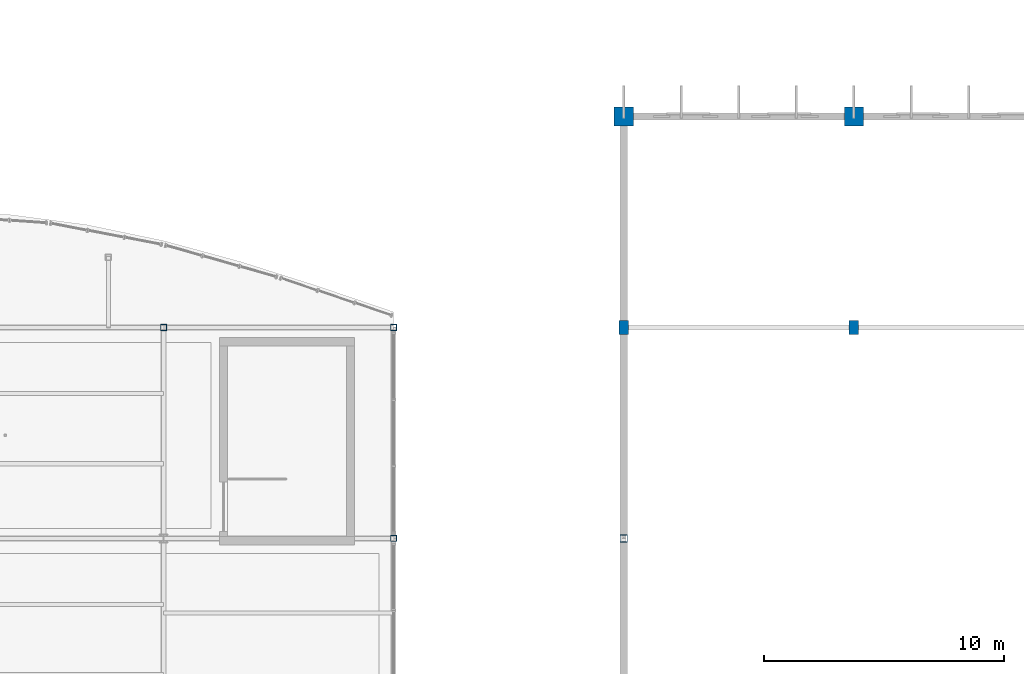
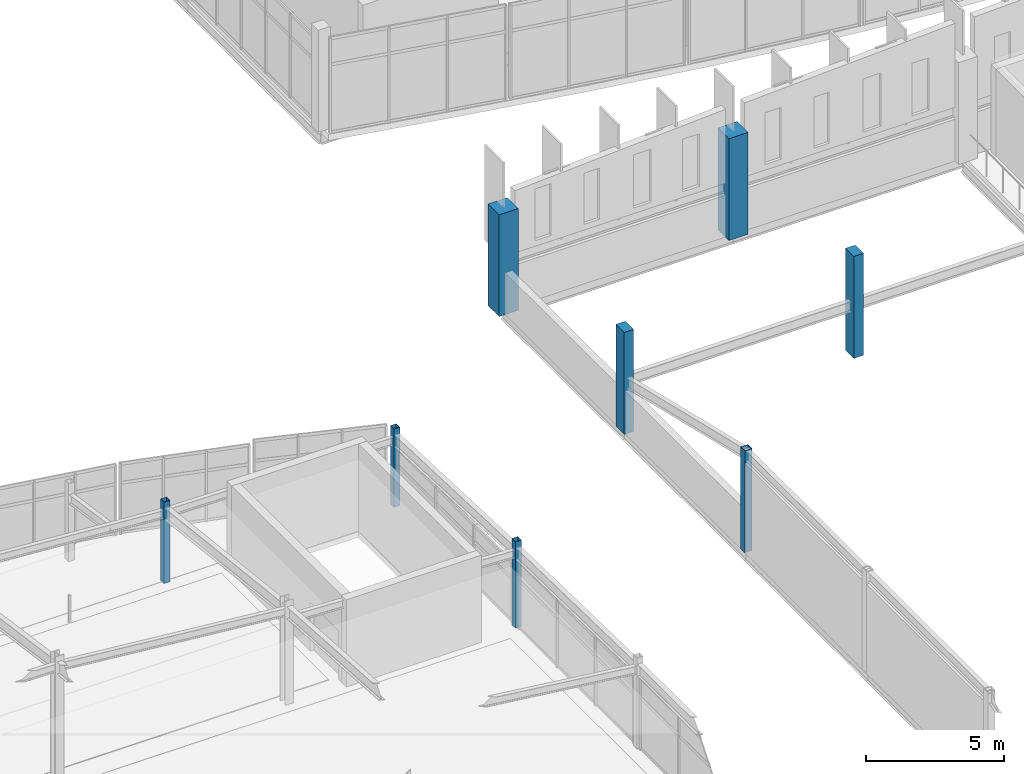
# One storey, part 5 of 114: 8 columns.
"""IFC4 building model written with IfcOpenShell, lengths in metres."""

from ifc_helpers import new_model, si_unit, direction, frame, origin, origin_2d, place, context, subcontext, project, spatial, rectangle, hollow_rectangle, extrude, material, material_profile, profile_set, type_object, element, save


model = new_model("IFC4")

# Units and contexts
model_context = context("Model", 3, precision=1e-05, world=origin(), true_north=direction((0.0, 1.0)))
body_context = subcontext(model_context, "Body", "Model", "MODEL_VIEW")
ifc_project = project(units=[si_unit("LENGTHUNIT", "METRE"), si_unit("AREAUNIT", "SQUARE_METRE"), si_unit("VOLUMEUNIT", "CUBIC_METRE"), si_unit("PLANEANGLEUNIT", "RADIAN"), si_unit("MASSUNIT", "GRAM", prefix="KILO")], contexts=[model_context])

# Site, building, storey
site_placement = place(None, origin())
site = spatial("IfcSite", under=ifc_project, at=site_placement, CompositionType="ELEMENT")
building_placement = place(site_placement, origin())
building = spatial("IfcBuilding", under=site, at=building_placement, Name="Chalmorin Arch Market", CompositionType="ELEMENT")
storey_placement = place(building_placement, frame((0.0, 0.0, 9.60009765625)))
storey = spatial("IfcBuildingStorey", under=building, at=storey_placement, Name="L02", CompositionType="ELEMENT", Elevation=9.60009765625)

# Columns
ifc_material_1 = material(Name="Concrete C50/60", Category="concrete")
ifc_material_profile_1 = material_profile(ifc_material_1, rectangle(XDim=0.800048828125, YDim=0.800048828125, at=origin_2d()), Name="RC800X800")
ifc_profile_set_1 = profile_set([ifc_material_profile_1], Name="Concrete C50/60")
column_type_1 = type_object("IfcColumnType", Name="ArchPierColumn-800x800", PredefinedType="COLUMN", material=ifc_profile_set_1)
for number, where, z_axis, x_axis, name in (
    (1, (48.0, 58.800048828125, 0.0), (0.0, 0.0, 1.0), (1.0, 0.0, 0.0), "C-AP1-223"),
    (2, (57.60009765625, 58.800048828125, 0.0), (0.0, 0.0, 1.0), (1.0, 0.0, 0.0), "C-AP1-278"),
):
    element("IfcColumn", number, at=place(storey_placement, frame(where, z_axis=z_axis, x_axis=x_axis)), inside=storey, type_object=column_type_1, Name=name, PredefinedType="COLUMN", context=body_context, shape_type="SweptSolid", body=[
        extrude(rectangle(XDim=0.800048828125, YDim=0.800048828125, at=origin_2d()), origin(), (0.0, 0.0, 1.0), 4.5),
    ])
ifc_material_2 = material(Name="Concrete C40/50", Category="concrete")
ifc_material_profile_2 = material_profile(ifc_material_2, rectangle(XDim=0.39990234375, YDim=0.60009765625, at=origin_2d()), Name="RC400X600")
ifc_profile_set_2 = profile_set([ifc_material_profile_2], Name="Concrete C40/50")
column_type_2 = type_object("IfcColumnType", Name="GalleryConcreteColumn-400x600", PredefinedType="COLUMN", material=ifc_profile_set_2)
for number, where, z_axis, x_axis, name in (
    (3, (48.0, 50.0, 0.0), (0.0, 0.0, 1.0), (1.0, 0.0, 0.0), "C-RC5-218"),
    (4, (57.60009765625, 50.0, 0.0), (0.0, 0.0, 1.0), (1.0, 0.0, 0.0), "C-RC5-273"),
):
    element("IfcColumn", number, at=place(storey_placement, frame(where, z_axis=z_axis, x_axis=x_axis)), inside=storey, type_object=column_type_2, Name=name, PredefinedType="COLUMN", context=body_context, shape_type="SweptSolid", body=[
        extrude(rectangle(XDim=0.39990234375, YDim=0.60009765625, at=origin_2d()), origin(), (0.0, 0.0, 1.0), 4.5),
    ])
ifc_material_3 = material(Name="Steel A500 Grade C", Category="steel")
ifc_material_profile_3 = material_profile(ifc_material_3, hollow_rectangle(XDim=0.25390625, YDim=0.25390625, WallThickness=0.01171875, at=origin_2d()), Name="HSS10X10X1/2")
ifc_profile_set_3 = profile_set([ifc_material_profile_3], Name="Steel A500 Grade C")
column_type_3 = type_object("IfcColumnType", Name="SteelTubeColumn-HSS10X10", PredefinedType="COLUMN", material=ifc_profile_set_3)
column_1_placement = place(storey_placement, frame((28.800048828125, 50.0, 0.0), z_axis=(0.0, 0.0, 1.0), x_axis=(1.0, 0.0, 0.0)))
element("IfcColumn", 5, at=column_1_placement, inside=storey, type_object=column_type_3, Name="C-HS2-138", PredefinedType="COLUMN", context=body_context, shape_type="SweptSolid", body=[
    extrude(hollow_rectangle(XDim=0.25390625, YDim=0.25390625, WallThickness=0.01171875, at=origin_2d()), origin(), (0.0, 0.0, 1.0), 3.591796875),
])
column_2_placement = place(storey_placement, frame((38.39990234375, 41.199951171875, 0.0), z_axis=(0.0, 0.0, 1.0), x_axis=(1.0, 0.0, 0.0)))
element("IfcColumn", 6, at=column_2_placement, inside=storey, type_object=column_type_3, Name="C-HS2-171", PredefinedType="COLUMN", context=body_context, shape_type="SweptSolid", body=[
    extrude(hollow_rectangle(XDim=0.25390625, YDim=0.25390625, WallThickness=0.01171875, at=origin_2d()), origin(), (0.0, 0.0, 1.0), 3.81494140625),
])
column_3_placement = place(storey_placement, frame((38.39990234375, 50.0, 0.0), z_axis=(0.0, 0.0, 1.0), x_axis=(1.0, 0.0, 0.0)))
element("IfcColumn", 7, at=column_3_placement, inside=storey, type_object=column_type_3, Name="C-HS2-175", PredefinedType="COLUMN", context=body_context, shape_type="SweptSolid", body=[
    extrude(hollow_rectangle(XDim=0.25390625, YDim=0.25390625, WallThickness=0.01171875, at=origin_2d()), origin(), (0.0, 0.0, 1.0), 3.466796875),
])
ifc_material_profile_4 = material_profile(ifc_material_3, hollow_rectangle(XDim=0.3046875, YDim=0.3046875, WallThickness=0.01171875, at=origin_2d()), Name="HSS12X12X1/2")
ifc_profile_set_4 = profile_set([ifc_material_profile_4], Name="Steel A500 Grade C")
column_type_4 = type_object("IfcColumnType", Name="SteelTubeColumn-HSS12X12", PredefinedType="COLUMN", material=ifc_profile_set_4)
column_4_placement = place(storey_placement, frame((48.0, 41.199951171875, 0.0), z_axis=(0.0, 0.0, 1.0), x_axis=(1.0, 0.0, 0.0)))
element("IfcColumn", 8, at=column_4_placement, inside=storey, type_object=column_type_4, Name="C-HS1-213", PredefinedType="COLUMN", context=body_context, shape_type="SweptSolid", body=[
    extrude(hollow_rectangle(XDim=0.3046875, YDim=0.3046875, WallThickness=0.01171875, at=origin_2d()), origin(), (0.0, 0.0, 1.0), 4.5),
])

save(model, "model.ifc")
